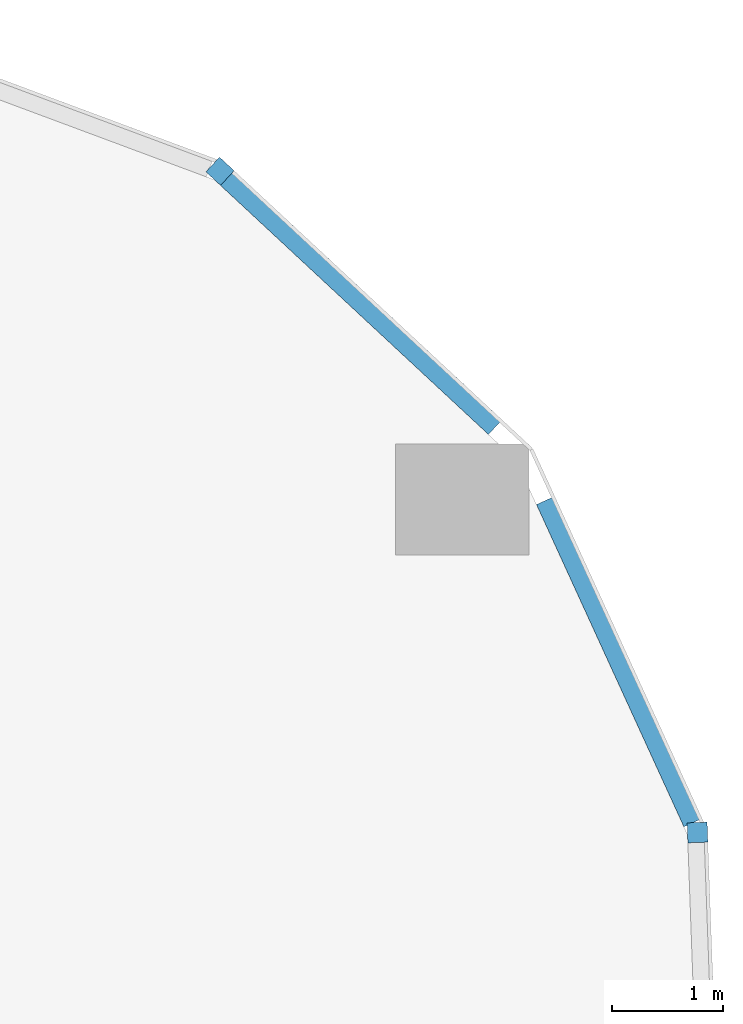
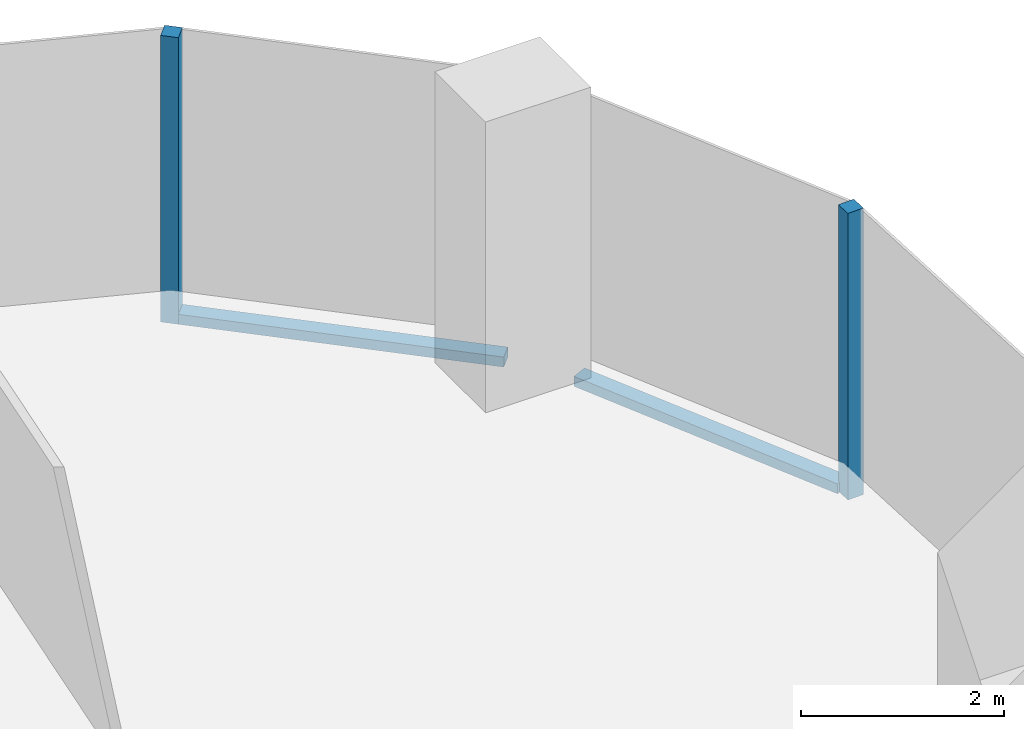
# One storey, part 15 of 34: 4 members, 3 elements without a shape of their own.
"""IFC4 building model written with IfcOpenShell, lengths in metres."""

from ifc_helpers import new_model, si_unit, direction, frame, origin, origin_2d, place, context, subcontext, project, spatial, rectangle, extrude, material, material_profile, profile_set, type_object, element, aggregate, save


model = new_model("IFC4")

# Units and contexts
model_context = context("Model", 3, precision=1e-05, world=origin(), true_north=direction((0.0, 1.0)))
body_context = subcontext(model_context, "Body", "Model", "MODEL_VIEW")
ifc_project = project(units=[si_unit("LENGTHUNIT", "METRE"), si_unit("AREAUNIT", "SQUARE_METRE"), si_unit("VOLUMEUNIT", "CUBIC_METRE"), si_unit("PLANEANGLEUNIT", "RADIAN"), si_unit("MASSUNIT", "GRAM", prefix="KILO")], contexts=[model_context])

# Site, building, storey
site_placement = place(None, origin())
site = spatial("IfcSite", under=ifc_project, at=site_placement, CompositionType="ELEMENT")
building_placement = place(site_placement, origin())
building = spatial("IfcBuilding", under=site, at=building_placement, Name="Orlundy Tower", CompositionType="ELEMENT")
storey_placement = place(building_placement, frame((0.0, 0.0, 134.199951171875)))
storey = spatial("IfcBuildingStorey", under=building, at=storey_placement, Name="L34", CompositionType="ELEMENT", Elevation=134.199951171875)

# Curtain wall, member
ifc_material_1 = material(Name="Aluminium bronze anodised", Category="aluminium")
curtain_wall_type = type_object("IfcCurtainWallType", Name="CW1 wall", PredefinedType="NOTDEFINED", material=ifc_material_1)
curtain_wall_1_placement = place(storey_placement, origin())
curtain_wall_1 = element("IfcCurtainWall", 1, at=curtain_wall_1_placement, inside=storey, type_object=curtain_wall_type, Name="CW1 run 08", PredefinedType="NOTDEFINED")
ifc_material_2 = material(Name="Aluminium bronze anodised", Category="aluminium")
ifc_material_profile_1 = material_profile(ifc_material_2, rectangle(XDim=0.179931640625, YDim=0.179931640625, at=origin_2d()), Name="CW1 corner post 180x180")
ifc_profile_set_1 = profile_set([ifc_material_profile_1], Name="Aluminium bronze anodised")
member_type_1 = type_object("IfcMemberType", Name="CW1 corner post 180x180", PredefinedType="MULLION", material=ifc_profile_set_1)
member_1_placement = place(storey_placement, frame((56.069091796875, 10.564208984375, -0.39990234375), z_axis=(0.0, 0.0, 1.0), x_axis=(0.680875211262, 0.732399444763, 0.0)))
member_1 = element("IfcMember", 2, at=member_1_placement, type_object=member_type_1, Name="CW1 mullion 33", PredefinedType="MULLION", context=body_context, shape_type="SweptSolid", body=[
    extrude(rectangle(XDim=0.179931640625, YDim=0.179931640625, at=origin_2d()), origin(), (0.0, 0.0, 1.0), 3.449951171875),
])

curtain_wall_2_placement = place(storey_placement, origin())
curtain_wall_2 = element("IfcCurtainWall", 3, at=curtain_wall_2_placement, inside=storey, type_object=curtain_wall_type, Name="CW1 run 010", PredefinedType="NOTDEFINED")
member_2_placement = place(storey_placement, frame((60.3671875, 4.612060546875, -0.39990234375), z_axis=(0.0, 0.0, 1.0), x_axis=(0.999336466026, 0.036422900353, 0.0)))
member_2 = element("IfcMember", 4, at=member_2_placement, type_object=member_type_1, Name="CW1 mullion 35", PredefinedType="MULLION", context=body_context, shape_type="SweptSolid", body=[
    extrude(rectangle(XDim=0.179931640625, YDim=0.179931640625, at=origin_2d()), origin(), (0.0, 0.0, 1.0), 3.449951171875),
])
aggregate(curtain_wall_2, [member_2])

# Member
ifc_material_3 = material(Name="Aluminium bronze anodised", Category="aluminium")
ifc_material_profile_2 = material_profile(ifc_material_3, rectangle(XDim=0.179931640625, YDim=0.1201171875, at=origin_2d()), Name="CW1 transom 180x120")
ifc_profile_set_2 = profile_set([ifc_material_profile_2], Name="Aluminium bronze anodised")
member_type_2 = type_object("IfcMemberType", Name="CW1 transom 180x120", PredefinedType="USERDEFINED", material=ifc_profile_set_2)
member_3_placement = place(storey_placement, frame((56.135009765625, 10.5029296875, -0.33984375), z_axis=(0.732402536134, -0.680871885941, 0.0), x_axis=(0.680871885941, 0.732402536134, 0.0)))
member_3 = element("IfcMember", 5, at=member_3_placement, type_object=member_type_2, Name="CW1 transom", ObjectType="TRANSOM", PredefinedType="USERDEFINED", context=body_context, shape_type="SweptSolid", body=[
    extrude(rectangle(XDim=0.179931640625, YDim=0.1201171875, at=origin_2d()), origin(), (0.0, 0.0, 1.0), 3.292724609375),
])

aggregate(curtain_wall_1, [member_1, member_3])

# Curtain wall, member
curtain_wall_3_placement = place(storey_placement, origin())
curtain_wall_3 = element("IfcCurtainWall", 6, at=curtain_wall_3_placement, inside=storey, type_object=curtain_wall_type, Name="CW1 run 09", PredefinedType="NOTDEFINED")
member_4_placement = place(storey_placement, frame((59.0, 7.601318359375, -0.33984375), z_axis=(0.415929789139, -0.909396728885, 0.0), x_axis=(0.909396728885, 0.415929789139, 0.0)))
member_4 = element("IfcMember", 7, at=member_4_placement, type_object=member_type_2, Name="CW1 transom", ObjectType="TRANSOM", PredefinedType="USERDEFINED", context=body_context, shape_type="SweptSolid", body=[
    extrude(rectangle(XDim=0.179931640625, YDim=0.1201171875, at=origin_2d()), origin(), (0.0, 0.0, 1.0), 3.189697265625),
])
aggregate(curtain_wall_3, [member_4])

save(model, "model.ifc")
